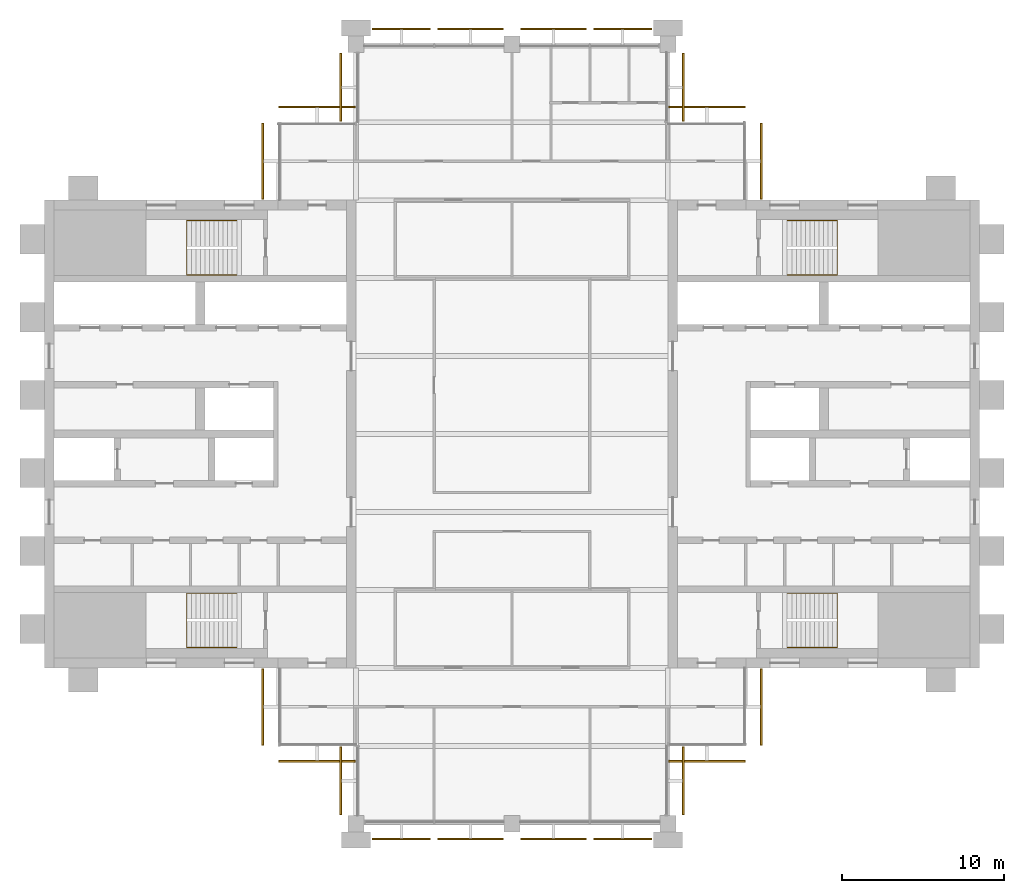
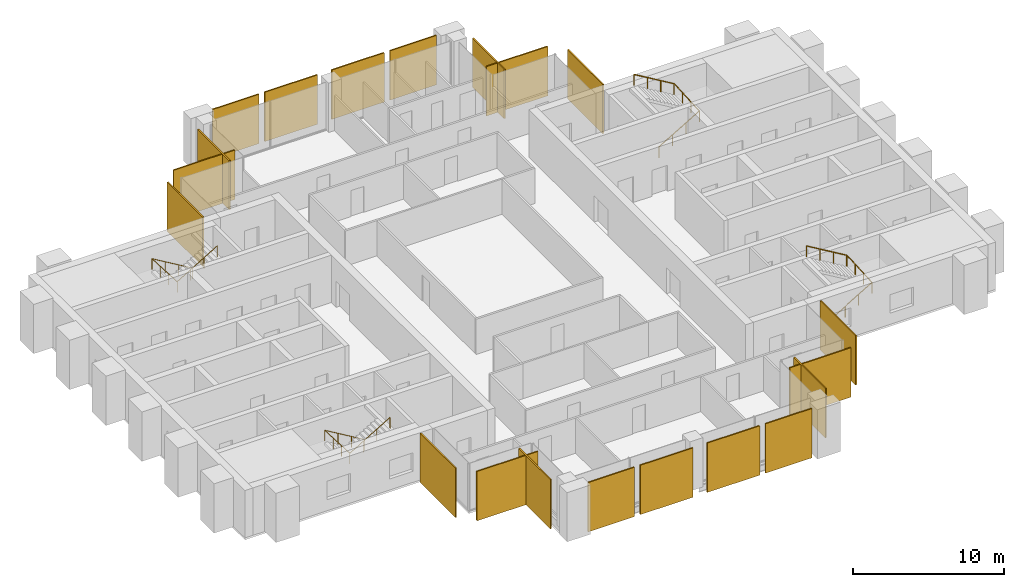
# One storey, part 13 of 13: 20 coverings, 4 railings.
"""IFC4 building model written with IfcOpenShell, lengths in metres."""

from ifc_helpers import new_model, si_unit, direction, frame, origin, origin_2d, place, context, subcontext, project, spatial, polyline, circle, outline, extrude, material, layer, layer_set, type_object, element, save


model = new_model("IFC4")

# Units and contexts
model_context = context("Model", 3, precision=1e-05, world=origin(), true_north=direction((0.0, 1.0)))
body_context = subcontext(model_context, "Body", "Model", "MODEL_VIEW")
ifc_project = project(units=[si_unit("LENGTHUNIT", "METRE"), si_unit("AREAUNIT", "SQUARE_METRE"), si_unit("VOLUMEUNIT", "CUBIC_METRE"), si_unit("PLANEANGLEUNIT", "RADIAN"), si_unit("MASSUNIT", "GRAM", prefix="KILO")], contexts=[model_context])

# Site, building, storey
site_placement = place(None, origin())
site = spatial("IfcSite", under=ifc_project, at=site_placement, CompositionType="ELEMENT")
building_placement = place(site_placement, origin())
building = spatial("IfcBuilding", under=site, at=building_placement, Name="Baori Bourse Tower", CompositionType="ELEMENT")
storey_placement = place(building_placement, frame((0.0, 0.0, 334.300048828125)))
storey = spatial("IfcBuildingStorey", under=building, at=storey_placement, Name="L74", CompositionType="ELEMENT", Elevation=334.300048828125)

# Railings
ifc_material_1 = material(Name="Powder-coated steel balustrade", Category="steel")
railing_type = type_object("IfcRailingType", Name="Core stair handrail", PredefinedType="HANDRAIL", material=ifc_material_1)
railing_1_placement = place(storey_placement, frame((11.85009765625, 14.199951171875, 0.16650390625)))
element("IfcRailing", 1, at=railing_1_placement, inside=storey, type_object=railing_type, Name="L74 ST1 stair handrail 1", PredefinedType="HANDRAIL", context=body_context, shape_type="SweptSolid", body=[
    extrude(circle(Radius=0.02392578125, at=origin_2d()), frame((0.0, 0.0, 0.8759765625), z_axis=(-0.85927862911, 0.0, 0.511507807912), x_axis=(0.0, -1.0, 0.0)), (0.0, 0.0, 1.0), 3.58447265625),
    extrude(circle(Radius=0.02392578125, at=origin_2d()), frame((-3.080078125, 0.0, 2.70947265625), z_axis=(0.0, -0.998766999029, 0.049643545903), x_axis=(1.0, 0.0, 0.0)), (0.0, 0.0, 1.0), 3.35400390625),
    extrude(circle(Radius=0.02392578125, at=origin_2d()), frame((-3.080078125, -3.349853515625, 2.8759765625), z_axis=(0.85927862911, 0.0, 0.511507807912), x_axis=(0.0, 1.0, 0.0)), (0.0, 0.0, 1.0), 3.58447265625),
    extrude(circle(Radius=0.02099609375, at=origin_2d()), origin(), (0.0, 0.0, 1.0), 0.851806640625),
    extrude(circle(Radius=0.02099609375, at=origin_2d()), frame((-1.026611328125, 0.0, 0.611083984375)), (0.0, 0.0, 1.0), 0.851806640625),
    extrude(circle(Radius=0.02099609375, at=origin_2d()), frame((-2.053466796875, 0.0, 1.222412109375)), (0.0, 0.0, 1.0), 0.851806640625),
    extrude(circle(Radius=0.02099609375, at=origin_2d()), frame((-3.080078125, 0.0, 1.83349609375)), (0.0, 0.0, 1.0), 0.851806640625),
    extrude(circle(Radius=0.02099609375, at=origin_2d()), frame((-3.080078125, -1.11669921875, 1.888916015625)), (0.0, 0.0, 1.0), 0.851806640625),
    extrude(circle(Radius=0.02099609375, at=origin_2d()), frame((-3.080078125, -2.233154296875, 1.944580078125)), (0.0, 0.0, 1.0), 0.851806640625),
    extrude(circle(Radius=0.02099609375, at=origin_2d()), frame((-3.080078125, -3.349853515625, 2.0)), (0.0, 0.0, 1.0), 0.851806640625),
    extrude(circle(Radius=0.02099609375, at=origin_2d()), frame((-2.053466796875, -3.349853515625, 2.611083984375)), (0.0, 0.0, 1.0), 0.851806640625),
    extrude(circle(Radius=0.02099609375, at=origin_2d()), frame((-1.026611328125, -3.349853515625, 3.222412109375)), (0.0, 0.0, 1.0), 0.851806640625),
    extrude(circle(Radius=0.02099609375, at=origin_2d()), frame((0.0, -3.349853515625, 3.83349609375)), (0.0, 0.0, 1.0), 0.851806640625),
])
railing_2_placement = place(storey_placement, frame((11.85009765625, 37.14990234375, 0.16650390625)))
element("IfcRailing", 2, at=railing_2_placement, inside=storey, type_object=railing_type, Name="L74 ST2 stair handrail 1", PredefinedType="HANDRAIL", context=body_context, shape_type="SweptSolid", body=[
    extrude(circle(Radius=0.02392578125, at=origin_2d()), frame((0.0, 0.0, 0.8759765625), z_axis=(-0.85927862911, 0.0, 0.511507807912), x_axis=(0.0, -1.0, 0.0)), (0.0, 0.0, 1.0), 3.58447265625),
    extrude(circle(Radius=0.02392578125, at=origin_2d()), frame((-3.080078125, 0.0, 2.70947265625), z_axis=(0.0, -0.998766999029, 0.049643545903), x_axis=(1.0, 0.0, 0.0)), (0.0, 0.0, 1.0), 3.35400390625),
    extrude(circle(Radius=0.02392578125, at=origin_2d()), frame((-3.080078125, -3.349853515625, 2.8759765625), z_axis=(0.85927862911, 0.0, 0.511507807912), x_axis=(0.0, 1.0, 0.0)), (0.0, 0.0, 1.0), 3.58447265625),
    extrude(circle(Radius=0.02099609375, at=origin_2d()), origin(), (0.0, 0.0, 1.0), 0.851806640625),
    extrude(circle(Radius=0.02099609375, at=origin_2d()), frame((-1.026611328125, 0.0, 0.611083984375)), (0.0, 0.0, 1.0), 0.851806640625),
    extrude(circle(Radius=0.02099609375, at=origin_2d()), frame((-2.053466796875, 0.0, 1.222412109375)), (0.0, 0.0, 1.0), 0.851806640625),
    extrude(circle(Radius=0.02099609375, at=origin_2d()), frame((-3.080078125, 0.0, 1.83349609375)), (0.0, 0.0, 1.0), 0.851806640625),
    extrude(circle(Radius=0.02099609375, at=origin_2d()), frame((-3.080078125, -1.11669921875, 1.888916015625)), (0.0, 0.0, 1.0), 0.851806640625),
    extrude(circle(Radius=0.02099609375, at=origin_2d()), frame((-3.080078125, -2.233154296875, 1.944580078125)), (0.0, 0.0, 1.0), 0.851806640625),
    extrude(circle(Radius=0.02099609375, at=origin_2d()), frame((-3.080078125, -3.349853515625, 2.0)), (0.0, 0.0, 1.0), 0.851806640625),
    extrude(circle(Radius=0.02099609375, at=origin_2d()), frame((-2.053466796875, -3.349853515625, 2.611083984375)), (0.0, 0.0, 1.0), 0.851806640625),
    extrude(circle(Radius=0.02099609375, at=origin_2d()), frame((-1.026611328125, -3.349853515625, 3.222412109375)), (0.0, 0.0, 1.0), 0.851806640625),
    extrude(circle(Radius=0.02099609375, at=origin_2d()), frame((0.0, -3.349853515625, 3.83349609375)), (0.0, 0.0, 1.0), 0.851806640625),
])
railing_3_placement = place(storey_placement, frame((45.75, 10.85009765625, 0.16650390625)))
element("IfcRailing", 3, at=railing_3_placement, inside=storey, type_object=railing_type, Name="L74 ST3 stair handrail 1", PredefinedType="HANDRAIL", context=body_context, shape_type="SweptSolid", body=[
    extrude(circle(Radius=0.02392578125, at=origin_2d()), frame((0.0, 0.0, 0.8759765625), z_axis=(0.85927862911, 0.0, 0.511507807912), x_axis=(0.0, 1.0, 0.0)), (0.0, 0.0, 1.0), 3.58447265625),
    extrude(circle(Radius=0.02392578125, at=origin_2d()), frame((3.080078125, 0.0, 2.70947265625), z_axis=(0.0, 0.998766999029, 0.049643545903), x_axis=(-1.0, 0.0, 0.0)), (0.0, 0.0, 1.0), 3.35400390625),
    extrude(circle(Radius=0.02392578125, at=origin_2d()), frame((3.080078125, 3.349853515625, 2.8759765625), z_axis=(-0.85927862911, 0.0, 0.511507807912), x_axis=(0.0, -1.0, 0.0)), (0.0, 0.0, 1.0), 3.58447265625),
    extrude(circle(Radius=0.02099609375, at=origin_2d()), origin(), (0.0, 0.0, 1.0), 0.851806640625),
    extrude(circle(Radius=0.02099609375, at=origin_2d()), frame((1.026611328125, 0.0, 0.611083984375)), (0.0, 0.0, 1.0), 0.851806640625),
    extrude(circle(Radius=0.02099609375, at=origin_2d()), frame((2.053466796875, 0.0, 1.222412109375)), (0.0, 0.0, 1.0), 0.851806640625),
    extrude(circle(Radius=0.02099609375, at=origin_2d()), frame((3.080078125, 0.0, 1.83349609375)), (0.0, 0.0, 1.0), 0.851806640625),
    extrude(circle(Radius=0.02099609375, at=origin_2d()), frame((3.080078125, 1.11669921875, 1.888916015625)), (0.0, 0.0, 1.0), 0.851806640625),
    extrude(circle(Radius=0.02099609375, at=origin_2d()), frame((3.080078125, 2.233154296875, 1.944580078125)), (0.0, 0.0, 1.0), 0.851806640625),
    extrude(circle(Radius=0.02099609375, at=origin_2d()), frame((3.080078125, 3.349853515625, 2.0)), (0.0, 0.0, 1.0), 0.851806640625),
    extrude(circle(Radius=0.02099609375, at=origin_2d()), frame((2.053466796875, 3.349853515625, 2.611083984375)), (0.0, 0.0, 1.0), 0.851806640625),
    extrude(circle(Radius=0.02099609375, at=origin_2d()), frame((1.026611328125, 3.349853515625, 3.222412109375)), (0.0, 0.0, 1.0), 0.851806640625),
    extrude(circle(Radius=0.02099609375, at=origin_2d()), frame((0.0, 3.349853515625, 3.83349609375)), (0.0, 0.0, 1.0), 0.851806640625),
])
railing_4_placement = place(storey_placement, frame((45.75, 33.800048828125, 0.16650390625)))
element("IfcRailing", 4, at=railing_4_placement, inside=storey, type_object=railing_type, Name="L74 ST4 stair handrail 1", PredefinedType="HANDRAIL", context=body_context, shape_type="SweptSolid", body=[
    extrude(circle(Radius=0.02392578125, at=origin_2d()), frame((0.0, 0.0, 0.8759765625), z_axis=(0.85927862911, 0.0, 0.511507807912), x_axis=(0.0, 1.0, 0.0)), (0.0, 0.0, 1.0), 3.58447265625),
    extrude(circle(Radius=0.02392578125, at=origin_2d()), frame((3.080078125, 0.0, 2.70947265625), z_axis=(0.0, 0.998766999029, 0.049643545903), x_axis=(-1.0, 0.0, 0.0)), (0.0, 0.0, 1.0), 3.35400390625),
    extrude(circle(Radius=0.02392578125, at=origin_2d()), frame((3.080078125, 3.349853515625, 2.8759765625), z_axis=(-0.85927862911, 0.0, 0.511507807912), x_axis=(0.0, -1.0, 0.0)), (0.0, 0.0, 1.0), 3.58447265625),
    extrude(circle(Radius=0.02099609375, at=origin_2d()), origin(), (0.0, 0.0, 1.0), 0.851806640625),
    extrude(circle(Radius=0.02099609375, at=origin_2d()), frame((1.026611328125, 0.0, 0.611083984375)), (0.0, 0.0, 1.0), 0.851806640625),
    extrude(circle(Radius=0.02099609375, at=origin_2d()), frame((2.053466796875, 0.0, 1.222412109375)), (0.0, 0.0, 1.0), 0.851806640625),
    extrude(circle(Radius=0.02099609375, at=origin_2d()), frame((3.080078125, 0.0, 1.83349609375)), (0.0, 0.0, 1.0), 0.851806640625),
    extrude(circle(Radius=0.02099609375, at=origin_2d()), frame((3.080078125, 1.11669921875, 1.888916015625)), (0.0, 0.0, 1.0), 0.851806640625),
    extrude(circle(Radius=0.02099609375, at=origin_2d()), frame((3.080078125, 2.233154296875, 1.944580078125)), (0.0, 0.0, 1.0), 0.851806640625),
    extrude(circle(Radius=0.02099609375, at=origin_2d()), frame((3.080078125, 3.349853515625, 2.0)), (0.0, 0.0, 1.0), 0.851806640625),
    extrude(circle(Radius=0.02099609375, at=origin_2d()), frame((2.053466796875, 3.349853515625, 2.611083984375)), (0.0, 0.0, 1.0), 0.851806640625),
    extrude(circle(Radius=0.02099609375, at=origin_2d()), frame((1.026611328125, 3.349853515625, 3.222412109375)), (0.0, 0.0, 1.0), 0.851806640625),
    extrude(circle(Radius=0.02099609375, at=origin_2d()), frame((0.0, 3.349853515625, 3.83349609375)), (0.0, 0.0, 1.0), 0.851806640625),
])

# Coverings
ifc_material_2 = material(Name="Pale anodised aluminium", Category="aluminium")
ifc_layer = layer(ifc_material_2, 0.10009765625)
ifc_layer_set = layer_set([ifc_layer], Name="OS3 Outer skin screen panel")
covering_type = type_object("IfcCoveringType", Name="OS3 Outer skin screen panel", PredefinedType="CLADDING", material=ifc_layer_set)
covering_1_placement = place(storey_placement, frame((0.0, 0.0, -0.16015625)))
element("IfcCovering", 5, at=covering_1_placement, inside=storey, type_object=covering_type, Name="Outer skin screen L74 1", PredefinedType="CLADDING", context=body_context, shape_type="SweptSolid", body=[
    extrude(outline(polyline([(44.10009765625, 43.14990234375), (44.10009765625, 38.449951171875), (44.199951171875, 38.449951171875), (44.199951171875, 43.14990234375), (44.10009765625, 43.14990234375)])), origin(), (0.0, 0.0, 1.0), 4.0),
])
covering_2_placement = place(storey_placement, frame((0.0, 0.0, -0.16015625)))
element("IfcCovering", 6, at=covering_2_placement, inside=storey, type_object=covering_type, Name="Outer skin screen L74 2", PredefinedType="CLADDING", context=body_context, shape_type="SweptSolid", body=[
    extrude(outline(polyline([(38.449951171875, 44.10009765625), (43.14990234375, 44.10009765625), (43.14990234375, 44.199951171875), (38.449951171875, 44.199951171875), (38.449951171875, 44.10009765625)])), origin(), (0.0, 0.0, 1.0), 4.0),
])
covering_3_placement = place(storey_placement, frame((0.0, 0.0, -0.16015625)))
element("IfcCovering", 7, at=covering_3_placement, inside=storey, type_object=covering_type, Name="Outer skin screen L74 3", PredefinedType="CLADDING", context=body_context, shape_type="SweptSolid", body=[
    extrude(outline(polyline([(39.300048828125, 47.449951171875), (39.300048828125, 43.25), (39.39990234375, 43.25), (39.39990234375, 47.449951171875), (39.300048828125, 47.449951171875)])), origin(), (0.0, 0.0, 1.0), 4.0),
])
covering_4_placement = place(storey_placement, frame((0.0, 0.0, -0.16015625)))
element("IfcCovering", 8, at=covering_4_placement, inside=storey, type_object=covering_type, Name="Outer skin screen L74 4", PredefinedType="CLADDING", context=body_context, shape_type="SweptSolid", body=[
    extrude(outline(polyline([(33.824951171875, 48.89990234375), (37.39990234375, 48.89990234375), (37.39990234375, 49.0), (33.824951171875, 49.0), (33.824951171875, 48.89990234375)])), origin(), (0.0, 0.0, 1.0), 4.0),
])
covering_5_placement = place(storey_placement, frame((0.0, 0.0, -0.16015625)))
element("IfcCovering", 9, at=covering_5_placement, inside=storey, type_object=covering_type, Name="Outer skin screen L74 5", PredefinedType="CLADDING", context=body_context, shape_type="SweptSolid", body=[
    extrude(outline(polyline([(29.35009765625, 48.89990234375), (33.375, 48.89990234375), (33.375, 49.0), (29.35009765625, 49.0), (29.35009765625, 48.89990234375)])), origin(), (0.0, 0.0, 1.0), 4.0),
])
covering_6_placement = place(storey_placement, frame((0.0, 0.0, -0.16015625)))
element("IfcCovering", 10, at=covering_6_placement, inside=storey, type_object=covering_type, Name="Outer skin screen L74 6", PredefinedType="CLADDING", context=body_context, shape_type="SweptSolid", body=[
    extrude(outline(polyline([(24.22509765625, 48.89990234375), (28.25, 48.89990234375), (28.25, 49.0), (24.22509765625, 49.0), (24.22509765625, 48.89990234375)])), origin(), (0.0, 0.0, 1.0), 4.0),
])
covering_7_placement = place(storey_placement, frame((0.0, 0.0, -0.16015625)))
element("IfcCovering", 11, at=covering_7_placement, inside=storey, type_object=covering_type, Name="Outer skin screen L74 7", PredefinedType="CLADDING", context=body_context, shape_type="SweptSolid", body=[
    extrude(outline(polyline([(20.199951171875, 48.89990234375), (23.77490234375, 48.89990234375), (23.77490234375, 49.0), (20.199951171875, 49.0), (20.199951171875, 48.89990234375)])), origin(), (0.0, 0.0, 1.0), 4.0),
])
covering_8_placement = place(storey_placement, frame((0.0, 0.0, -0.16015625)))
element("IfcCovering", 12, at=covering_8_placement, inside=storey, type_object=covering_type, Name="Outer skin screen L74 8", PredefinedType="CLADDING", context=body_context, shape_type="SweptSolid", body=[
    extrude(outline(polyline([(18.300048828125, 43.25), (18.300048828125, 47.449951171875), (18.199951171875, 47.449951171875), (18.199951171875, 43.25), (18.300048828125, 43.25)])), origin(), (0.0, 0.0, 1.0), 4.0),
])
covering_9_placement = place(storey_placement, frame((0.0, 0.0, -0.16015625)))
element("IfcCovering", 13, at=covering_9_placement, inside=storey, type_object=covering_type, Name="Outer skin screen L74 9", PredefinedType="CLADDING", context=body_context, shape_type="SweptSolid", body=[
    extrude(outline(polyline([(14.449951171875, 44.10009765625), (19.14990234375, 44.10009765625), (19.14990234375, 44.199951171875), (14.449951171875, 44.199951171875), (14.449951171875, 44.10009765625)])), origin(), (0.0, 0.0, 1.0), 4.0),
])
covering_10_placement = place(storey_placement, frame((0.0, 0.0, -0.16015625)))
element("IfcCovering", 14, at=covering_10_placement, inside=storey, type_object=covering_type, Name="Outer skin screen L74 10", PredefinedType="CLADDING", context=body_context, shape_type="SweptSolid", body=[
    extrude(outline(polyline([(13.5, 38.449951171875), (13.5, 43.14990234375), (13.39990234375, 43.14990234375), (13.39990234375, 38.449951171875), (13.5, 38.449951171875)])), origin(), (0.0, 0.0, 1.0), 4.0),
])
covering_11_placement = place(storey_placement, frame((0.0, 0.0, -0.16015625)))
element("IfcCovering", 15, at=covering_11_placement, inside=storey, type_object=covering_type, Name="Outer skin screen L74 11", PredefinedType="CLADDING", context=body_context, shape_type="SweptSolid", body=[
    extrude(outline(polyline([(13.5, 4.85009765625), (13.5, 9.550048828125), (13.39990234375, 9.550048828125), (13.39990234375, 4.85009765625), (13.5, 4.85009765625)])), origin(), (0.0, 0.0, 1.0), 4.0),
])
covering_12_placement = place(storey_placement, frame((0.0, 0.0, -0.16015625)))
element("IfcCovering", 16, at=covering_12_placement, inside=storey, type_object=covering_type, Name="Outer skin screen L74 12", PredefinedType="CLADDING", context=body_context, shape_type="SweptSolid", body=[
    extrude(outline(polyline([(19.14990234375, 3.89990234375), (14.449951171875, 3.89990234375), (14.449951171875, 3.800048828125), (19.14990234375, 3.800048828125), (19.14990234375, 3.89990234375)])), origin(), (0.0, 0.0, 1.0), 4.0),
])
covering_13_placement = place(storey_placement, frame((0.0, 0.0, -0.16015625)))
element("IfcCovering", 17, at=covering_13_placement, inside=storey, type_object=covering_type, Name="Outer skin screen L74 13", PredefinedType="CLADDING", context=body_context, shape_type="SweptSolid", body=[
    extrude(outline(polyline([(18.300048828125, 0.550048828125), (18.300048828125, 4.75), (18.199951171875, 4.75), (18.199951171875, 0.550048828125), (18.300048828125, 0.550048828125)])), origin(), (0.0, 0.0, 1.0), 4.0),
])
covering_14_placement = place(storey_placement, frame((0.0, 0.0, -0.16015625)))
element("IfcCovering", 18, at=covering_14_placement, inside=storey, type_object=covering_type, Name="Outer skin screen L74 14", PredefinedType="CLADDING", context=body_context, shape_type="SweptSolid", body=[
    extrude(outline(polyline([(23.77490234375, -0.89990234375), (20.199951171875, -0.89990234375), (20.199951171875, -1.0), (23.77490234375, -1.0), (23.77490234375, -0.89990234375)])), origin(), (0.0, 0.0, 1.0), 4.0),
])
covering_15_placement = place(storey_placement, frame((0.0, 0.0, -0.16015625)))
element("IfcCovering", 19, at=covering_15_placement, inside=storey, type_object=covering_type, Name="Outer skin screen L74 15", PredefinedType="CLADDING", context=body_context, shape_type="SweptSolid", body=[
    extrude(outline(polyline([(28.25, -0.89990234375), (24.22509765625, -0.89990234375), (24.22509765625, -1.0), (28.25, -1.0), (28.25, -0.89990234375)])), origin(), (0.0, 0.0, 1.0), 4.0),
])
covering_16_placement = place(storey_placement, frame((0.0, 0.0, -0.16015625)))
element("IfcCovering", 20, at=covering_16_placement, inside=storey, type_object=covering_type, Name="Outer skin screen L74 16", PredefinedType="CLADDING", context=body_context, shape_type="SweptSolid", body=[
    extrude(outline(polyline([(33.375, -0.89990234375), (29.35009765625, -0.89990234375), (29.35009765625, -1.0), (33.375, -1.0), (33.375, -0.89990234375)])), origin(), (0.0, 0.0, 1.0), 4.0),
])
covering_17_placement = place(storey_placement, frame((0.0, 0.0, -0.16015625)))
element("IfcCovering", 21, at=covering_17_placement, inside=storey, type_object=covering_type, Name="Outer skin screen L74 17", PredefinedType="CLADDING", context=body_context, shape_type="SweptSolid", body=[
    extrude(outline(polyline([(37.39990234375, -0.89990234375), (33.824951171875, -0.89990234375), (33.824951171875, -1.0), (37.39990234375, -1.0), (37.39990234375, -0.89990234375)])), origin(), (0.0, 0.0, 1.0), 4.0),
])
covering_18_placement = place(storey_placement, frame((0.0, 0.0, -0.16015625)))
element("IfcCovering", 22, at=covering_18_placement, inside=storey, type_object=covering_type, Name="Outer skin screen L74 18", PredefinedType="CLADDING", context=body_context, shape_type="SweptSolid", body=[
    extrude(outline(polyline([(39.300048828125, 4.75), (39.300048828125, 0.550048828125), (39.39990234375, 0.550048828125), (39.39990234375, 4.75), (39.300048828125, 4.75)])), origin(), (0.0, 0.0, 1.0), 4.0),
])
covering_19_placement = place(storey_placement, frame((0.0, 0.0, -0.16015625)))
element("IfcCovering", 23, at=covering_19_placement, inside=storey, type_object=covering_type, Name="Outer skin screen L74 19", PredefinedType="CLADDING", context=body_context, shape_type="SweptSolid", body=[
    extrude(outline(polyline([(43.14990234375, 3.89990234375), (38.449951171875, 3.89990234375), (38.449951171875, 3.800048828125), (43.14990234375, 3.800048828125), (43.14990234375, 3.89990234375)])), origin(), (0.0, 0.0, 1.0), 4.0),
])
covering_20_placement = place(storey_placement, frame((0.0, 0.0, -0.16015625)))
element("IfcCovering", 24, at=covering_20_placement, inside=storey, type_object=covering_type, Name="Outer skin screen L74 20", PredefinedType="CLADDING", context=body_context, shape_type="SweptSolid", body=[
    extrude(outline(polyline([(44.10009765625, 9.550048828125), (44.10009765625, 4.85009765625), (44.199951171875, 4.85009765625), (44.199951171875, 9.550048828125), (44.10009765625, 9.550048828125)])), origin(), (0.0, 0.0, 1.0), 4.0),
])

save(model, "model.ifc")
